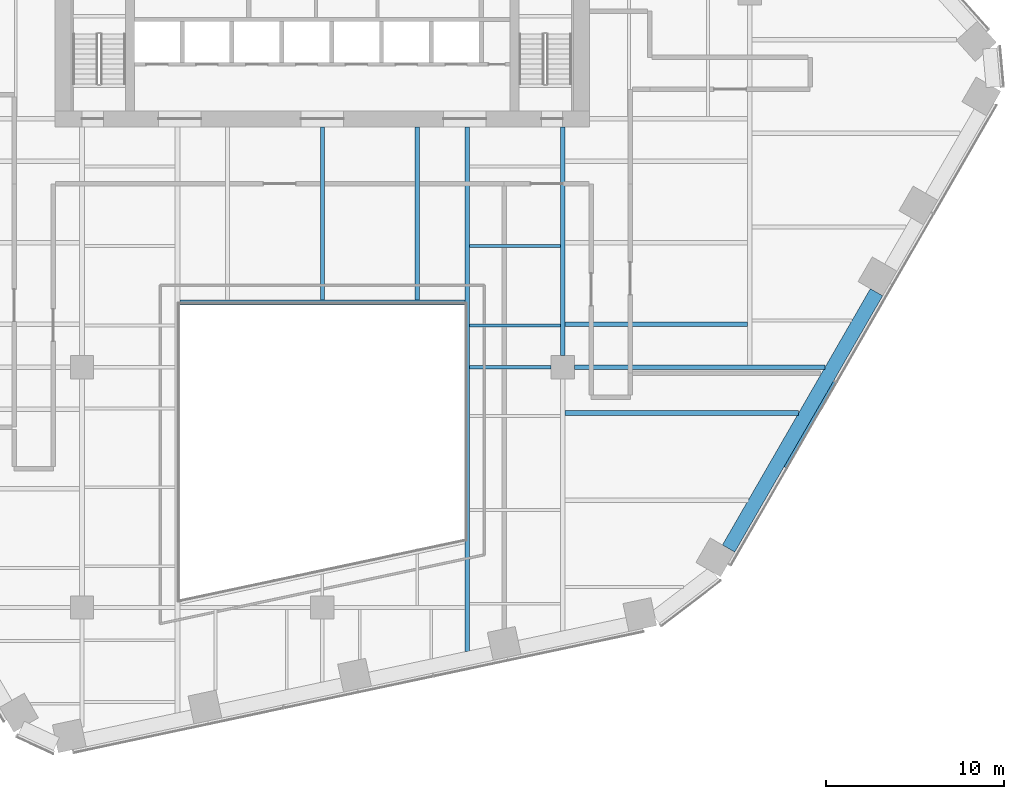
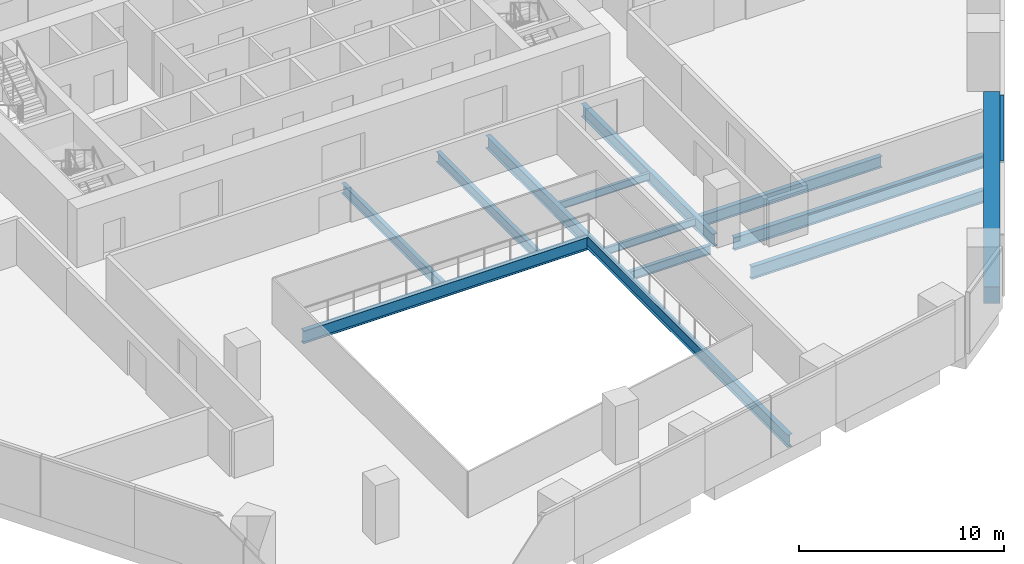
# One storey, part 6 of 19: 12 beams, 1 member, 1 element without a shape of its own.
"""IFC4 building model written with IfcOpenShell, lengths in metres."""

from ifc_helpers import new_model, si_unit, direction, frame, origin, origin_2d, place, context, subcontext, project, spatial, rectangle, i_section, extrude, material, layer, layer_set, material_profile, profile_set, type_object, element, aggregate, save


model = new_model("IFC4")

# Units and contexts
model_context = context("Model", 3, precision=1e-05, world=origin(), true_north=direction((0.0, 1.0)))
body_context = subcontext(model_context, "Body", "Model", "MODEL_VIEW")
ifc_project = project(units=[si_unit("LENGTHUNIT", "METRE"), si_unit("AREAUNIT", "SQUARE_METRE"), si_unit("VOLUMEUNIT", "CUBIC_METRE"), si_unit("PLANEANGLEUNIT", "RADIAN"), si_unit("MASSUNIT", "GRAM", prefix="KILO")], contexts=[model_context])

# Site, building, storey
site_placement = place(None, origin())
site = spatial("IfcSite", under=ifc_project, at=site_placement, CompositionType="ELEMENT")
building_placement = place(site_placement, origin())
building = spatial("IfcBuilding", under=site, at=building_placement, Name="Isthmus Gate Tower", CompositionType="ELEMENT")
storey_placement = place(building_placement, frame((0.0, 0.0, 87.949951171875)))
storey = spatial("IfcBuildingStorey", under=building, at=storey_placement, Name="L20", CompositionType="ELEMENT", Elevation=87.949951171875)

# Curtain wall, member
ifc_material_1 = material(Name="Aluminium, pale champagne anodised", Category="aluminium")
ifc_layer = layer(ifc_material_1, 0.199951171875)
ifc_layer_set = layer_set([ifc_layer], Name="CW-1 UNITISED CURTAIN WALL 200 DEEP")
curtain_wall_type = type_object("IfcCurtainWallType", Name="CW-1 UNITISED CURTAIN WALL 200 DEEP", PredefinedType="NOTDEFINED", material=ifc_layer_set)
curtain_wall_placement = place(storey_placement, origin())
curtain_wall = element("IfcCurtainWall", 1, at=curtain_wall_placement, inside=storey, type_object=curtain_wall_type, Name="CW-1 SE L20", PredefinedType="NOTDEFINED")
ifc_material_2 = material(Name="Aluminium, pale champagne anodised", Category="aluminium")
ifc_material_profile_1 = material_profile(ifc_material_2, rectangle(XDim=0.199951171875, YDim=0.14990234375, at=origin_2d()), Name="200x150")
ifc_profile_set_1 = profile_set([ifc_material_profile_1], Name="Aluminium, pale champagne anodised")
member_type = type_object("IfcMemberType", Name="CW-1 TRANSOM 200 X 150", PredefinedType="USERDEFINED", material=ifc_profile_set_1)
member_placement = place(storey_placement, frame((26.017822265625, -19.135986328125, 3.574951171875), z_axis=(0.499993363642, 0.866029235253, 0.0), x_axis=(-0.866029235253, 0.499993363642, 0.0)))
member = element("IfcMember", 2, at=member_placement, type_object=member_type, Name="CW-1 transom", ObjectType="TRANSOM", PredefinedType="USERDEFINED", context=body_context, shape_type="SweptSolid", body=[
    extrude(rectangle(XDim=0.199951171875, YDim=0.14990234375, at=origin_2d()), origin(), (0.0, 0.0, 1.0), 5.53857421875),
])
aggregate(curtain_wall, [member])

# Beams
ifc_material_3 = material(Name="Concrete f'c 70 MPa", Category="concrete")
ifc_material_profile_2 = material_profile(ifc_material_3, rectangle(XDim=0.800048828125, YDim=1.0, at=origin_2d()), Name="RC 800X1000")
ifc_profile_set_2 = profile_set([ifc_material_profile_2], Name="Concrete f'c 70 MPa")
beam_type_1 = type_object("IfcBeamType", Name="RC SPANDREL 800 X 1000", PredefinedType="SPANDREL", material=ifc_profile_set_2)
beam_1_placement = place(storey_placement, frame((31.123291015625, -9.292724609375, -0.5), z_axis=(-0.499999725976, -0.866025561992, 0.0), x_axis=(0.866025561992, -0.499999725976, 0.0)))
element("IfcBeam", 3, at=beam_1_placement, inside=storey, type_object=beam_type_1, Name="str-spandrel-L20-08", PredefinedType="SPANDREL", context=body_context, shape_type="SweptSolid", body=[
    extrude(rectangle(XDim=0.800048828125, YDim=1.0, at=origin_2d()), origin(), (0.0, 0.0, 1.0), 16.61572265625),
])
ifc_material_4 = material(Name="Structural steel ASTM A992 Gr 50", Category="steel")
ifc_material_profile_3 = material_profile(ifc_material_4, i_section(OverallWidth=0.15234375, OverallDepth=0.45068359375, WebThickness=0.0078125, FlangeThickness=0.010986328125, at=origin_2d()), Name="W18X35")
ifc_profile_set_3 = profile_set([ifc_material_profile_3], Name="Structural steel ASTM A992 Gr 50")
beam_type_2 = type_object("IfcBeamType", Name="STEEL FLOOR BEAM W18X35", PredefinedType="JOIST", material=ifc_profile_set_3)
for number, where, z_axis, x_axis, name in (
    (4, (8.263427734375, -11.16259765625, -0.375244140625), (1.0, 0.0, 0.0), (0.0, 1.0, 0.0), "str-beam-L20-24-00"),
    (5, (8.263427734375, -6.697509765625, -0.375244140625), (1.0, 0.0, 0.0), (0.0, 1.0, 0.0), "str-beam-L20-24-01"),
):
    element("IfcBeam", number, at=place(storey_placement, frame(where, z_axis=z_axis, x_axis=x_axis)), inside=storey, type_object=beam_type_2, Name=name, PredefinedType="JOIST", context=body_context, shape_type="SweptSolid", body=[
        extrude(i_section(OverallWidth=0.15234375, OverallDepth=0.45068359375, WebThickness=0.0078125, FlangeThickness=0.010986328125, at=origin_2d()), origin(), (0.0, 0.0, 1.0), 5.104736328125),
    ])
ifc_material_5 = material(Name="Structural steel ASTM A992 Gr 50", Category="steel")
ifc_material_profile_4 = material_profile(ifc_material_5, i_section(OverallWidth=0.228515625, OverallDepth=0.603271484375, WebThickness=0.010986328125, FlangeThickness=0.014404296875, at=origin_2d()), Name="W24X68")
ifc_profile_set_4 = profile_set([ifc_material_profile_4], Name="Structural steel ASTM A992 Gr 50")
beam_type_3 = type_object("IfcBeamType", Name="STEEL FLOOR BEAM W24X68", PredefinedType="JOIST", material=ifc_profile_set_4)
for number, where, z_axis, x_axis, name in (
    (6, (0.0, -9.7333984375, -0.45166015625), (0.0, 1.0, 0.0), (-1.0, 0.0, 0.0), "str-beam-L20-17-01"),
    (7, (5.333251953125, -9.7333984375, -0.45166015625), (0.0, 1.0, 0.0), (-1.0, 0.0, 0.0), "str-beam-L20-17-02"),
):
    element("IfcBeam", number, at=place(storey_placement, frame(where, z_axis=z_axis, x_axis=x_axis)), inside=storey, type_object=beam_type_3, Name=name, PredefinedType="JOIST", context=body_context, shape_type="SweptSolid", body=[
        extrude(i_section(OverallWidth=0.228515625, OverallDepth=0.603271484375, WebThickness=0.010986328125, FlangeThickness=0.014404296875, at=origin_2d()), origin(), (0.0, 0.0, 1.0), 9.7333984375),
    ])
ifc_material_6 = material(Name="Structural steel ASTM A992 Gr 50", Category="steel")
ifc_material_profile_5 = material_profile(ifc_material_6, i_section(OverallWidth=0.25390625, OverallDepth=0.679443359375, WebThickness=0.010986328125, FlangeThickness=0.015869140625, at=origin_2d()), Name="W27X84")
ifc_profile_set_5 = profile_set([ifc_material_profile_5], Name="Structural steel ASTM A992 Gr 50")
beam_type_4 = type_object("IfcBeamType", Name="STEEL FLOOR BEAM W27X84", PredefinedType="JOIST", material=ifc_profile_set_5)
beam_2_placement = place(storey_placement, frame((13.6318359375, -11.0830078125, -0.48974609375), z_axis=(1.0, 0.0, 0.0), x_axis=(0.0, 1.0, 0.0)))
element("IfcBeam", 8, at=beam_2_placement, inside=storey, type_object=beam_type_4, Name="str-beam-L20-27-00", PredefinedType="JOIST", context=body_context, shape_type="SweptSolid", body=[
    extrude(i_section(OverallWidth=0.25390625, OverallDepth=0.679443359375, WebThickness=0.010986328125, FlangeThickness=0.015869140625, at=origin_2d()), origin(), (0.0, 0.0, 1.0), 10.23486328125),
])
ifc_material_7 = material(Name="Structural steel ASTM A992 Gr 50", Category="steel")
ifc_material_profile_6 = material_profile(ifc_material_7, i_section(OverallWidth=0.263427734375, OverallDepth=0.749267578125, WebThickness=0.0126953125, FlangeThickness=0.015869140625, at=origin_2d()), Name="W30X90")
ifc_profile_set_6 = profile_set([ifc_material_profile_6], Name="Structural steel ASTM A992 Gr 50")
beam_type_5 = type_object("IfcBeamType", Name="STEEL FLOOR BEAM W30X90", PredefinedType="JOIST", material=ifc_profile_set_6)
beam_3_placement = place(storey_placement, frame((13.63330078125, -16.0751953125, -0.524658203125), z_axis=(1.0, 0.0, 0.0), x_axis=(0.0, 1.0, 0.0)))
element("IfcBeam", 9, at=beam_3_placement, inside=storey, type_object=beam_type_5, Name="str-beam-L20-28-02", PredefinedType="JOIST", context=body_context, shape_type="SweptSolid", body=[
    extrude(i_section(OverallWidth=0.263427734375, OverallDepth=0.749267578125, WebThickness=0.0126953125, FlangeThickness=0.015869140625, at=origin_2d()), origin(), (0.0, 0.0, 1.0), 13.1123046875),
])
ifc_material_8 = material(Name="Structural steel ASTM A992 Gr 50", Category="steel")
ifc_material_profile_7 = material_profile(ifc_material_8, i_section(OverallWidth=0.20947265625, OverallDepth=0.533447265625, WebThickness=0.009521484375, FlangeThickness=0.015869140625, at=origin_2d()), Name="W21X62")
ifc_profile_set_7 = profile_set([ifc_material_profile_7], Name="Structural steel ASTM A992 Gr 50")
beam_type_6 = type_object("IfcBeamType", Name="STEEL GIRDER W21X62", PredefinedType="BEAM", material=ifc_profile_set_7)
beam_4_placement = place(storey_placement, frame((8.263427734375, -13.5, -0.416748046875), z_axis=(1.0, 0.0, 0.0), x_axis=(0.0, 1.0, 0.0)))
element("IfcBeam", 10, at=beam_4_placement, inside=storey, type_object=beam_type_6, Name="str-girder-L20-07", PredefinedType="BEAM", context=body_context, shape_type="SweptSolid", body=[
    extrude(i_section(OverallWidth=0.20947265625, OverallDepth=0.533447265625, WebThickness=0.009521484375, FlangeThickness=0.015869140625, at=origin_2d()), origin(), (0.0, 0.0, 1.0), 4.586669921875),
])
ifc_material_9 = material(Name="Structural steel ASTM A992 Gr 50", Category="steel")
ifc_material_profile_8 = material_profile(ifc_material_9, i_section(OverallWidth=0.2666015625, OverallDepth=0.7587890625, WebThickness=0.014404296875, FlangeThickness=0.01904296875, at=origin_2d()), Name="W30X108")
ifc_profile_set_8 = profile_set([ifc_material_profile_8], Name="Structural steel ASTM A992 Gr 50")
beam_type_7 = type_object("IfcBeamType", Name="STEEL GIRDER W30X108", PredefinedType="BEAM", material=ifc_profile_set_8)
beam_5_placement = place(storey_placement, frame((14.14990234375, -13.5, -0.529296875), z_axis=(1.0, 0.0, 0.0), x_axis=(0.0, 1.0, 0.0)))
element("IfcBeam", 11, at=beam_5_placement, inside=storey, type_object=beam_type_7, Name="str-girder-L20-08", PredefinedType="BEAM", context=body_context, shape_type="SweptSolid", body=[
    extrude(i_section(OverallWidth=0.2666015625, OverallDepth=0.7587890625, WebThickness=0.014404296875, FlangeThickness=0.01904296875, at=origin_2d()), origin(), (0.0, 0.0, 1.0), 14.08251953125),
])
ifc_material_10 = material(Name="Structural steel ASTM A992 Gr 50", Category="steel")
ifc_material_profile_9 = material_profile(ifc_material_10, i_section(OverallWidth=0.263427734375, OverallDepth=0.749267578125, WebThickness=0.0126953125, FlangeThickness=0.015869140625, at=origin_2d()), Name="W30X90")
ifc_profile_set_9 = profile_set([ifc_material_profile_9], Name="Structural steel ASTM A992 Gr 50")
beam_type_8 = type_object("IfcBeamType", Name="STEEL GIRDER W30X90", PredefinedType="BEAM", material=ifc_profile_set_9)
beam_6_placement = place(storey_placement, frame((13.5, -12.85009765625, -0.524658203125), z_axis=(0.0, 1.0, 0.0), x_axis=(-1.0, 0.0, 0.0)))
element("IfcBeam", 12, at=beam_6_placement, inside=storey, type_object=beam_type_8, Name="str-girder-L20-33", PredefinedType="BEAM", context=body_context, shape_type="SweptSolid", body=[
    extrude(i_section(OverallWidth=0.263427734375, OverallDepth=0.749267578125, WebThickness=0.0126953125, FlangeThickness=0.015869140625, at=origin_2d()), origin(), (0.0, 0.0, 1.0), 12.85009765625),
])
ifc_material_11 = material(Name="Structural steel ASTM A992 Gr 50", Category="steel")
ifc_material_profile_10 = material_profile(ifc_material_11, i_section(OverallWidth=0.2666015625, OverallDepth=0.7587890625, WebThickness=0.014404296875, FlangeThickness=0.01904296875, at=origin_2d()), Name="W30X108")
ifc_profile_set_10 = profile_set([ifc_material_profile_10], Name="Structural steel ASTM A992 Gr 50")
beam_type_9 = type_object("IfcBeamType", Name="STEEL TRIMMER W30X108", PredefinedType="BEAM", material=ifc_profile_set_10)
beam_7_placement = place(storey_placement, frame((8.0, -9.86669921875, -0.529296875), z_axis=(-1.0, 0.0, 0.0), x_axis=(0.0, -1.0, 0.0)))
element("IfcBeam", 13, at=beam_7_placement, inside=storey, type_object=beam_type_9, Name="str-trimmer-L20-04", PredefinedType="BEAM", context=body_context, shape_type="SweptSolid", body=[
    extrude(i_section(OverallWidth=0.2666015625, OverallDepth=0.7587890625, WebThickness=0.014404296875, FlangeThickness=0.01904296875, at=origin_2d()), origin(), (0.0, 0.0, 1.0), 16.0),
])
ifc_material_12 = material(Name="Structural steel ASTM A992 Gr 50", Category="steel")
ifc_material_profile_11 = material_profile(ifc_material_12, i_section(OverallWidth=0.263427734375, OverallDepth=0.749267578125, WebThickness=0.0126953125, FlangeThickness=0.015869140625, at=origin_2d()), Name="W30X90")
ifc_profile_set_11 = profile_set([ifc_material_profile_11], Name="Structural steel ASTM A992 Gr 50")
beam_type_10 = type_object("IfcBeamType", Name="STEEL TRIMMER W30X90", PredefinedType="BEAM", material=ifc_profile_set_11)
beam_8_placement = place(storey_placement, frame((8.1318359375, -29.45361328125, -0.524658203125), z_axis=(0.0, 1.0, 0.0), x_axis=(-1.0, 0.0, 0.0)))
element("IfcBeam", 14, at=beam_8_placement, inside=storey, type_object=beam_type_10, Name="str-trimmer-L20-01", PredefinedType="BEAM", context=body_context, shape_type="SweptSolid", body=[
    extrude(i_section(OverallWidth=0.263427734375, OverallDepth=0.749267578125, WebThickness=0.0126953125, FlangeThickness=0.015869140625, at=origin_2d()), origin(), (0.0, 0.0, 1.0), 29.45361328125),
])

save(model, "model.ifc")
